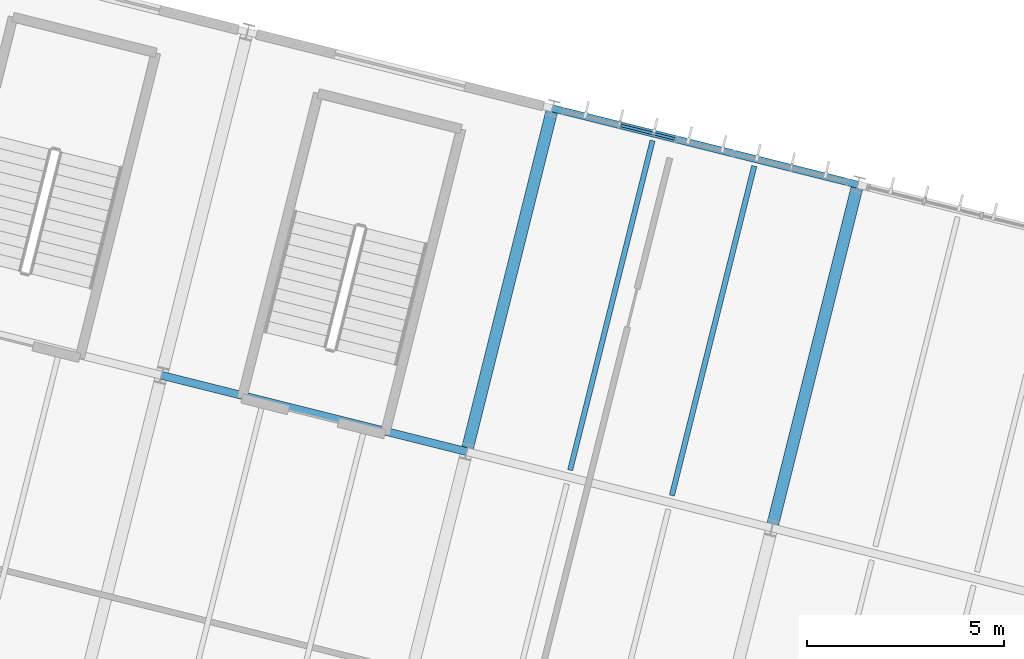
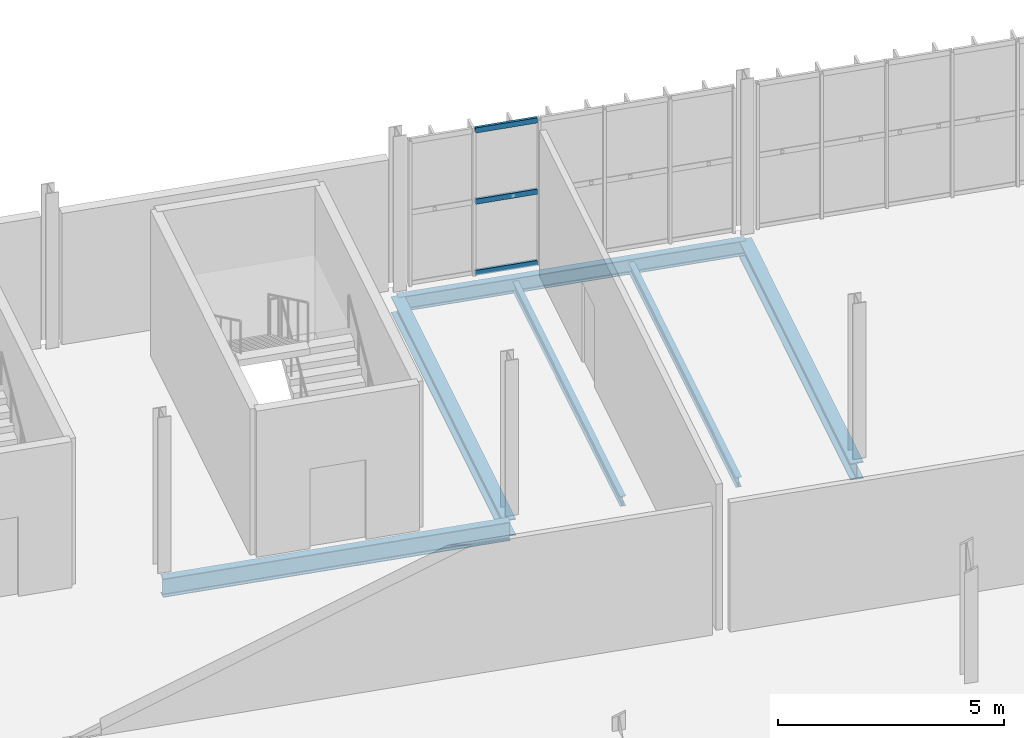
# One storey, part 32 of 61: 6 beams, 3 members, 1 element without a shape of its own.
"""IFC4 building model written with IfcOpenShell, lengths in metres."""

from ifc_helpers import new_model, si_unit, derived_unit, direction, frame, origin, origin_2d, place, context, subcontext, project, spatial, hollow_rectangle, i_section, extrude, material, material_profile, profile_set, type_object, element, aggregate, save


model = new_model("IFC4")

# Units and contexts
model_context = context("Model", 3, precision=1e-05, world=origin(), true_north=direction((0.0, 1.0)))
body_context = subcontext(model_context, "Body", "Model", "MODEL_VIEW")
ifc_project = project(units=[si_unit("LENGTHUNIT", "METRE"), si_unit("AREAUNIT", "SQUARE_METRE"), si_unit("VOLUMEUNIT", "CUBIC_METRE"), si_unit("PLANEANGLEUNIT", "RADIAN"), si_unit("MASSUNIT", "GRAM", prefix="KILO"), si_unit("THERMODYNAMICTEMPERATUREUNIT", "KELVIN"), si_unit("TIMEUNIT", "SECOND"), derived_unit("THERMALTRANSMITTANCEUNIT", [(si_unit("MASSUNIT", "GRAM", prefix="KILO"), 1), (si_unit("THERMODYNAMICTEMPERATUREUNIT", "KELVIN"), -1), (si_unit("TIMEUNIT", "SECOND"), -3)])], contexts=[model_context])

# Site, building, storey
site_placement = place(None, origin())
site = spatial("IfcSite", under=ifc_project, at=site_placement, CompositionType="ELEMENT")
building_placement = place(site_placement, origin())
building = spatial("IfcBuilding", under=site, at=building_placement, Name="Cambertide Market Hall", CompositionType="ELEMENT")
storey_placement = place(building_placement, frame((0.0, 0.0, 9.89990234375)))
storey = spatial("IfcBuildingStorey", under=building, at=storey_placement, Name="L03", CompositionType="ELEMENT", Elevation=9.89990234375)

# Curtain wall, members
ifc_material_1 = material(Name="Marine Anodized Aluminium 6063-T6 AA25", Category="aluminium")
curtain_wall_type = type_object("IfcCurtainWallType", Name="Cooking School Classroom Curtain Wall", PredefinedType="USERDEFINED", material=ifc_material_1)
curtain_wall_placement = place(storey_placement, origin())
curtain_wall = element("IfcCurtainWall", 1, at=curtain_wall_placement, inside=storey, type_object=curtain_wall_type, Name="Level 3 Curtain Wall CW-V4N-L03-6", ObjectType="UNITIZED CURTAIN WALL", PredefinedType="USERDEFINED")
ifc_material_2 = material(Name="Champagne Marine Anodized Aluminium 6063-T6 AA25", Category="aluminium")
ifc_material_profile_1 = material_profile(ifc_material_2, hollow_rectangle(XDim=0.06494140625, YDim=0.139892578125, WallThickness=0.00341796875, at=origin_2d()), Name="ALU TRANSOM 65x140")
ifc_profile_set_1 = profile_set([ifc_material_profile_1], Name="Champagne Marine Anodized Aluminium 6063-T6 AA25")
member_type = type_object("IfcMemberType", Name="Curtain Wall Transom ALU TRANSOM 65x140", PredefinedType="USERDEFINED", material=ifc_profile_set_1)
member_1_placement = place(storey_placement, frame((155.0849609375, 116.059814453125, 0.03515625), z_axis=(0.970122324991, -0.242616311393, 0.0), x_axis=(0.242616311393, 0.970122324991, 0.0)))
member_1 = element("IfcMember", 2, at=member_1_placement, type_object=member_type, Name="CW-V4N-L03-6 Transom 1-2", ObjectType="TRANSOM", PredefinedType="USERDEFINED", context=body_context, shape_type="SweptSolid", body=[
    extrude(hollow_rectangle(XDim=0.06494140625, YDim=0.139892578125, WallThickness=0.00341796875, at=origin_2d()), origin(), (0.0, 0.0, 1.0), 1.423828125),
])
member_2_placement = place(storey_placement, frame((155.0849609375, 116.059814453125, 1.960205078125), z_axis=(0.970122324991, -0.242616311393, 0.0), x_axis=(0.242616311393, 0.970122324991, 0.0)))
member_2 = element("IfcMember", 3, at=member_2_placement, type_object=member_type, Name="CW-V4N-L03-6 Transom 2-2", ObjectType="TRANSOM", PredefinedType="USERDEFINED", context=body_context, shape_type="SweptSolid", body=[
    extrude(hollow_rectangle(XDim=0.06494140625, YDim=0.139892578125, WallThickness=0.00341796875, at=origin_2d()), origin(), (0.0, 0.0, 1.0), 1.423828125),
])
member_3_placement = place(storey_placement, frame((155.0849609375, 116.059814453125, 3.885009765625), z_axis=(0.970122324991, -0.242616311393, 0.0), x_axis=(0.242616311393, 0.970122324991, 0.0)))
member_3 = element("IfcMember", 4, at=member_3_placement, type_object=member_type, Name="CW-V4N-L03-6 Transom 3-2", ObjectType="TRANSOM", PredefinedType="USERDEFINED", context=body_context, shape_type="SweptSolid", body=[
    extrude(hollow_rectangle(XDim=0.06494140625, YDim=0.139892578125, WallThickness=0.00341796875, at=origin_2d()), origin(), (0.0, 0.0, 1.0), 1.423828125),
])
aggregate(curtain_wall, [member_1, member_2, member_3])

# Beams
ifc_material_3 = material(Name="Steel S355", Category="steel")
ifc_material_profile_2 = material_profile(ifc_material_3, i_section(OverallWidth=0.179931640625, OverallDepth=0.39990234375, WebThickness=0.008544921875, FlangeThickness=0.013427734375, FilletRadius=0.02099609375, at=origin_2d()), Name="IPE 400")
ifc_profile_set_2 = profile_set([ifc_material_profile_2], Name="Steel S355")
beam_type_1 = type_object("IfcBeamType", Name="Perimeter Spandrel Beam IPE 400", PredefinedType="SPANDREL", material=ifc_profile_set_2)
beam_1_placement = place(storey_placement, frame((153.354248046875, 116.492431640625, -0.44482421875), z_axis=(0.970144295309, -0.242528444268, 0.0), x_axis=(0.242528444268, 0.970144295309, 0.0)))
element("IfcBeam", 5, at=beam_1_placement, inside=storey, type_object=beam_type_1, Name="Level 3 Spandrel BM-V4U-L03-6-4", PredefinedType="SPANDREL", context=body_context, shape_type="SweptSolid", body=[
    extrude(i_section(OverallWidth=0.179931640625, OverallDepth=0.39990234375, WebThickness=0.008544921875, FlangeThickness=0.013427734375, FilletRadius=0.02099609375, at=origin_2d()), origin(), (0.0, 0.0, 1.0), 7.999755859375),
])
ifc_material_4 = material(Name="Steel S355", Category="steel")
ifc_material_profile_3 = material_profile(ifc_material_4, i_section(OverallWidth=0.300048828125, OverallDepth=0.449951171875, WebThickness=0.013916015625, FlangeThickness=0.02587890625, FilletRadius=0.027099609375, at=origin_2d()), Name="HEB 450")
ifc_profile_set_3 = profile_set([ifc_material_profile_3], Name="Steel S355")
beam_type_2 = type_object("IfcBeamType", Name="Steel Girder HEB 450", PredefinedType="BEAM", material=ifc_profile_set_3)
beam_2_placement = place(storey_placement, frame((151.17138671875, 107.76123046875, -0.469970703125), z_axis=(0.242542007841, 0.970140904422, 0.0), x_axis=(-0.970140904422, 0.242542007841, 0.0)))
element("IfcBeam", 6, at=beam_2_placement, inside=storey, type_object=beam_type_2, Name="Level 3 Beam BM-V4V-L03-6-3", PredefinedType="BEAM", context=body_context, shape_type="SweptSolid", body=[
    extrude(i_section(OverallWidth=0.300048828125, OverallDepth=0.449951171875, WebThickness=0.013916015625, FlangeThickness=0.02587890625, FilletRadius=0.027099609375, at=origin_2d()), origin(), (0.0, 0.0, 1.0), 9.0),
])
beam_3_placement = place(storey_placement, frame((158.932373046875, 105.82080078125, -0.469970703125), z_axis=(0.242535625036, 0.970142500145, 0.0), x_axis=(-0.970142500145, 0.242535625036, 0.0)))
element("IfcBeam", 7, at=beam_3_placement, inside=storey, type_object=beam_type_2, Name="Level 3 Beam BM-V4V-L03-7-3", PredefinedType="BEAM", context=body_context, shape_type="SweptSolid", body=[
    extrude(i_section(OverallWidth=0.300048828125, OverallDepth=0.449951171875, WebThickness=0.013916015625, FlangeThickness=0.02587890625, FilletRadius=0.027099609375, at=origin_2d()), origin(), (0.0, 0.0, 1.0), 9.000244140625),
])
ifc_material_5 = material(Name="Steel S355", Category="steel")
ifc_material_profile_4 = material_profile(ifc_material_5, i_section(OverallWidth=0.199951171875, OverallDepth=0.5, WebThickness=0.01025390625, FlangeThickness=0.01611328125, FilletRadius=0.02099609375, at=origin_2d()), Name="IPE 500")
ifc_profile_set_4 = profile_set([ifc_material_profile_4], Name="Steel S355")
beam_type_3 = type_object("IfcBeamType", Name="Steel Girder IPE 500", PredefinedType="BEAM", material=ifc_profile_set_4)
beam_4_placement = place(storey_placement, frame((143.41015625, 109.701416015625, -0.494873046875), z_axis=(0.970146090314, -0.242521263911, 0.0), x_axis=(0.242521263911, 0.970146090314, 0.0)))
element("IfcBeam", 8, at=beam_4_placement, inside=storey, type_object=beam_type_3, Name="Level 3 Beam BM-V4U-L03-5-3", PredefinedType="BEAM", context=body_context, shape_type="SweptSolid", body=[
    extrude(i_section(OverallWidth=0.199951171875, OverallDepth=0.5, WebThickness=0.01025390625, FlangeThickness=0.01611328125, FilletRadius=0.02099609375, at=origin_2d()), origin(), (0.0, 0.0, 1.0), 8.0),
])
ifc_material_6 = material(Name="Steel S275", Category="steel")
ifc_material_profile_5 = material_profile(ifc_material_6, i_section(OverallWidth=0.135009765625, OverallDepth=0.27001953125, WebThickness=0.006591796875, FlangeThickness=0.01025390625, FilletRadius=0.014892578125, at=origin_2d()), Name="IPE 270")
ifc_profile_set_5 = profile_set([ifc_material_profile_5], Name="Steel S275")
beam_type_4 = type_object("IfcBeamType", Name="Steel Secondary Joist IPE 270", PredefinedType="JOIST", material=ifc_profile_set_5)
beam_5_placement = place(storey_placement, frame((153.802001953125, 107.2890625, -0.3798828125), z_axis=(0.242528976348, 0.970144162293, 0.0), x_axis=(-0.970144162293, 0.242528976348, 0.0)))
element("IfcBeam", 9, at=beam_5_placement, inside=storey, type_object=beam_type_4, Name="Level 3 Joist JS-V4-L03-6-3-1", PredefinedType="JOIST", context=body_context, shape_type="SweptSolid", body=[
    extrude(i_section(OverallWidth=0.135009765625, OverallDepth=0.27001953125, WebThickness=0.006591796875, FlangeThickness=0.01025390625, FilletRadius=0.014892578125, at=origin_2d()), origin(), (0.0, 0.0, 1.0), 8.64013671875),
])
beam_6_placement = place(storey_placement, frame((156.38916015625, 106.642333984375, -0.3798828125), z_axis=(0.242535625036, 0.970142500145, 0.0), x_axis=(-0.970142500145, 0.242535625036, 0.0)))
element("IfcBeam", 10, at=beam_6_placement, inside=storey, type_object=beam_type_4, Name="Level 3 Joist JS-V4-L03-6-3-2", PredefinedType="JOIST", context=body_context, shape_type="SweptSolid", body=[
    extrude(i_section(OverallWidth=0.135009765625, OverallDepth=0.27001953125, WebThickness=0.006591796875, FlangeThickness=0.01025390625, FilletRadius=0.014892578125, at=origin_2d()), origin(), (0.0, 0.0, 1.0), 8.639892578125),
])

save(model, "model.ifc")
